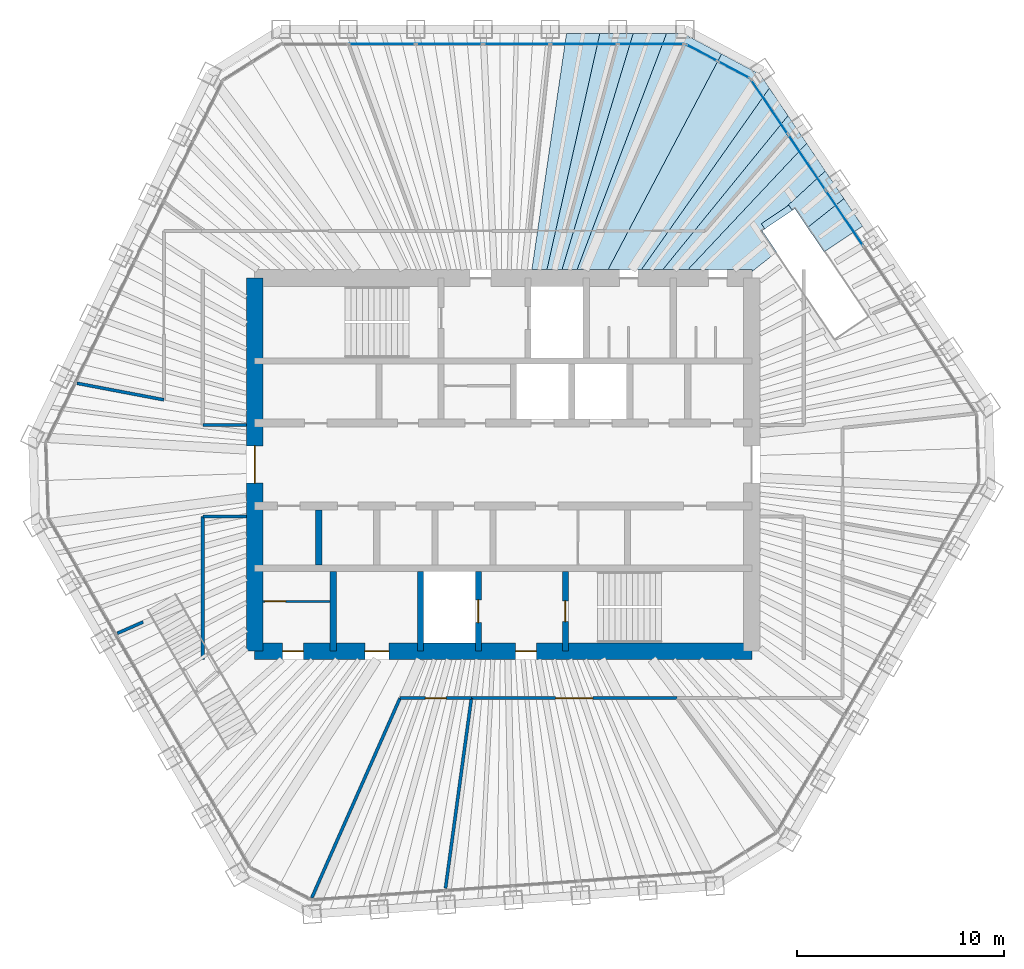
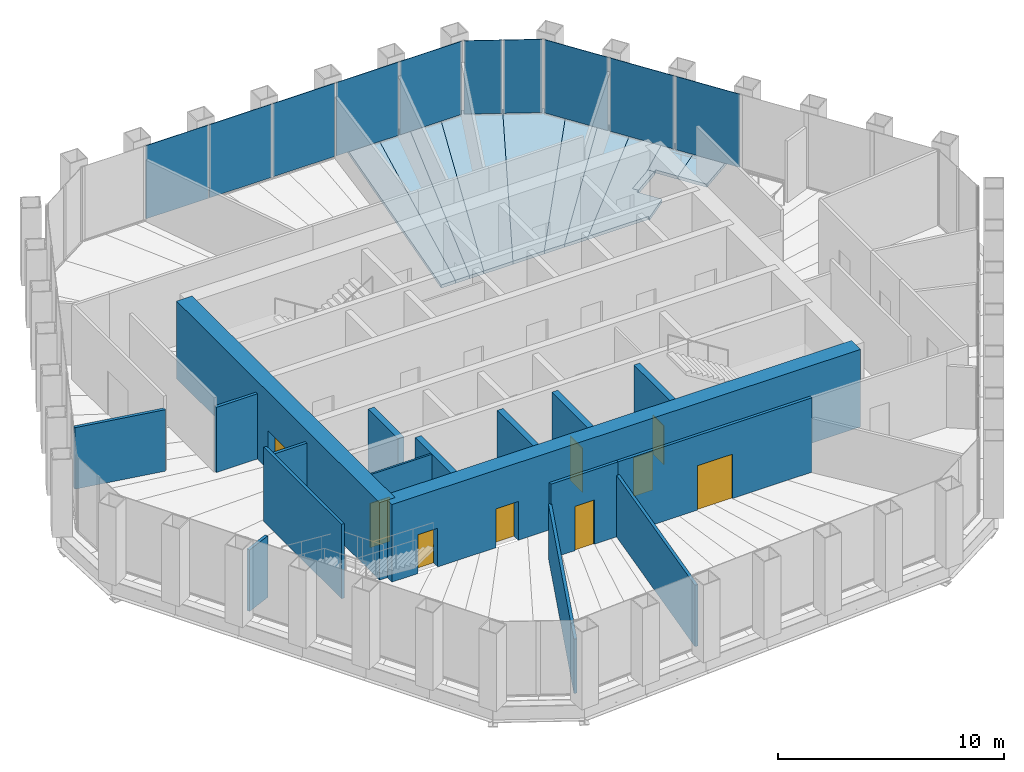
# One storey, part 13 of 17: 17 walls, 11 slabs, 10 plates, 9 doors, 9 openings, 3 elements without a shape of their own.
"""IFC4 building model written with IfcOpenShell, lengths in metres."""

from ifc_helpers import new_model, si_unit, direction, frame, frame_2d, origin, origin_2d, place, context, subcontext, project, spatial, polyline, rectangle, outline, extrude, material, layer, layer_set, type_object, element, fill, aggregate, save


model = new_model("IFC4")

# Units and contexts
model_context = context("Model", 3, precision=1e-05, world=origin(), true_north=direction((0.0, 1.0)))
body_context = subcontext(model_context, "Body", "Model", "MODEL_VIEW")
ifc_project = project(units=[si_unit("LENGTHUNIT", "METRE"), si_unit("AREAUNIT", "SQUARE_METRE"), si_unit("VOLUMEUNIT", "CUBIC_METRE"), si_unit("PLANEANGLEUNIT", "RADIAN"), si_unit("MASSUNIT", "GRAM", prefix="KILO")], contexts=[model_context])

# Site, building, storey
site_placement = place(None, origin())
site = spatial("IfcSite", under=ifc_project, at=site_placement, CompositionType="ELEMENT")
building_placement = place(site_placement, origin())
building = spatial("IfcBuilding", under=site, at=building_placement, Name="Qingtian Harvest Tower", CompositionType="ELEMENT")
storey_placement = place(building_placement, frame((0.0, 0.0, 329.199951171875)))
storey = spatial("IfcBuildingStorey", under=building, at=storey_placement, Name="L73", CompositionType="ELEMENT", Elevation=329.199951171875)

# Slabs
ifc_material_1 = material(Name="Concrete fc' 35 MPa", Category="concrete")
ifc_layer_1 = layer(ifc_material_1, 0.169921875)
ifc_layer_set_1 = layer_set([ifc_layer_1], Name="Composite floor slab FS17 170")
slab_type_1 = type_object("IfcSlabType", Name="Composite floor slab FS17 170", PredefinedType="FLOOR", material=ifc_layer_set_1)
slab_1_placement = place(storey_placement, frame((0.0, 0.0, -0.169921875)))
element("IfcSlab", 1, at=slab_1_placement, inside=storey, type_object=slab_type_1, Name="Floor slab L73 panel D47", PredefinedType="FLOOR", context=body_context, shape_type="SweptSolid", body=[
    extrude(outline(polyline([(14.682861328125, 11.43603515625), (16.44140625, 12.830078125), (17.340576171875, 11.4970703125), (15.4794921875, 10.2548828125), (14.682861328125, 11.43603515625)])), origin(), (0.0, 0.0, 1.0), 0.169921875),
])
slab_2_placement = place(storey_placement, frame((0.0, 0.0, -0.169921875)))
element("IfcSlab", 2, at=slab_2_placement, inside=storey, type_object=slab_type_1, Name="Floor slab L73 panel D48", PredefinedType="FLOOR", context=body_context, shape_type="SweptSolid", body=[
    extrude(outline(polyline([(14.06787109375, 12.347900390625), (13.944091796875, 12.26318359375), (13.77587890625, 12.5126953125), (13.6455078125, 12.4248046875), (15.541259765625, 14.164794921875), (16.44140625, 12.830078125), (14.682861328125, 11.43603515625), (14.06787109375, 12.347900390625)])), origin(), (0.0, 0.0, 1.0), 0.169921875),
])
slab_3_placement = place(storey_placement, frame((0.0, 0.0, -0.169921875)))
element("IfcSlab", 3, at=slab_3_placement, inside=storey, type_object=slab_type_1, Name="Floor slab L73 panel D49", PredefinedType="FLOOR", context=body_context, shape_type="SweptSolid", body=[
    extrude(outline(polyline([(8.907958984375, 9.39990234375), (14.641357421875, 15.498779296875), (14.641357421875, 15.498779296875), (15.541259765625, 14.164794921875), (13.6455078125, 12.4248046875), (12.449462890625, 11.617919921875), (12.61767578125, 11.368408203125), (12.49267578125, 11.285400390625), (13.189697265625, 10.252197265625), (12.0, 9.30908203125), (12.0, 9.39990234375), (8.907958984375, 9.39990234375)])), origin(), (0.0, 0.0, 1.0), 0.169921875),
])
slab_4_placement = place(storey_placement, frame((0.0, 0.0, -0.169921875)))
element("IfcSlab", 4, at=slab_4_placement, inside=storey, type_object=slab_type_1, Name="Floor slab L73 panel D50", PredefinedType="FLOOR", context=body_context, shape_type="SweptSolid", body=[
    extrude(outline(polyline([(7.695556640625, 9.39990234375), (13.74169921875, 16.832763671875), (14.641357421875, 15.498779296875), (8.907958984375, 9.39990234375), (7.695556640625, 9.39990234375)])), origin(), (0.0, 0.0, 1.0), 0.169921875),
])
slab_5_placement = place(storey_placement, frame((0.0, 0.0, -0.169921875)))
element("IfcSlab", 5, at=slab_5_placement, inside=storey, type_object=slab_type_1, Name="Floor slab L73 panel D51", PredefinedType="FLOOR", context=body_context, shape_type="SweptSolid", body=[
    extrude(outline(polyline([(6.662109375, 9.39990234375), (12.841796875, 18.16650390625), (13.74169921875, 16.832763671875), (7.695556640625, 9.39990234375), (6.662109375, 9.39990234375)])), origin(), (0.0, 0.0, 1.0), 0.169921875),
])
slab_6_placement = place(storey_placement, frame((0.0, 0.0, -0.169921875)))
element("IfcSlab", 6, at=slab_6_placement, inside=storey, type_object=slab_type_1, Name="Floor slab L73 panel D52", PredefinedType="FLOOR", context=body_context, shape_type="SweptSolid", body=[
    extrude(outline(polyline([(5.05419921875, 9.39990234375), (10.533935546875, 19.809814453125), (12.404296875, 18.8154296875), (12.841796875, 18.16650390625), (6.662109375, 9.39990234375), (5.05419921875, 9.39990234375)])), origin(), (0.0, 0.0, 1.0), 0.169921875),
])
slab_7_placement = place(storey_placement, frame((0.0, 0.0, -0.169921875)))
element("IfcSlab", 7, at=slab_7_placement, inside=storey, type_object=slab_type_1, Name="Floor slab L73 panel D53", PredefinedType="FLOOR", context=body_context, shape_type="SweptSolid", body=[
    extrude(outline(polyline([(5.05419921875, 9.39990234375), (3.560302734375, 9.39990234375), (7.880126953125, 20.804931640625), (8.662109375, 20.804931640625), (10.533935546875, 19.809814453125), (5.05419921875, 9.39990234375)])), origin(), (0.0, 0.0, 1.0), 0.169921875),
])
slab_8_placement = place(storey_placement, frame((0.0, 0.0, -0.169921875)))
element("IfcSlab", 8, at=slab_8_placement, inside=storey, type_object=slab_type_1, Name="Floor slab L73 panel D54", PredefinedType="FLOOR", context=body_context, shape_type="SweptSolid", body=[
    extrude(outline(polyline([(2.833251953125, 9.39990234375), (6.27099609375, 20.804931640625), (7.880126953125, 20.804931640625), (3.560302734375, 9.39990234375), (2.833251953125, 9.39990234375)])), origin(), (0.0, 0.0, 1.0), 0.169921875),
])
slab_9_placement = place(storey_placement, frame((0.0, 0.0, -0.169921875)))
element("IfcSlab", 9, at=slab_9_placement, inside=storey, type_object=slab_type_1, Name="Floor slab L73 panel D55", PredefinedType="FLOOR", context=body_context, shape_type="SweptSolid", body=[
    extrude(outline(polyline([(2.1064453125, 9.39990234375), (4.662109375, 20.804931640625), (6.27099609375, 20.804931640625), (2.833251953125, 9.39990234375), (2.1064453125, 9.39990234375)])), origin(), (0.0, 0.0, 1.0), 0.169921875),
])
slab_10_placement = place(storey_placement, frame((0.0, 0.0, -0.169921875)))
element("IfcSlab", 10, at=slab_10_placement, inside=storey, type_object=slab_type_1, Name="Floor slab L73 panel D56", PredefinedType="FLOOR", context=body_context, shape_type="SweptSolid", body=[
    extrude(outline(polyline([(1.37939453125, 9.39990234375), (3.05322265625, 20.804931640625), (4.662109375, 20.804931640625), (2.1064453125, 9.39990234375), (1.37939453125, 9.39990234375)])), origin(), (0.0, 0.0, 1.0), 0.169921875),
])
ifc_material_2 = material(Name="Steel deck with terrazzo", Category="steel")
ifc_layer_2 = layer(ifc_material_2, 0.199951171875)
ifc_layer_set_2 = layer_set([ifc_layer_2], Name="Feature stair landing SL3 200")
slab_type_2 = type_object("IfcSlabType", Name="Feature stair landing SL3 200", PredefinedType="LANDING", material=ifc_layer_set_2)
slab_11_placement = place(storey_placement, frame((0.0, 0.0, -0.199951171875)))
element("IfcSlab", 11, at=slab_11_placement, inside=storey, type_object=slab_type_2, Name="Feature stair FS5 top landing", PredefinedType="LANDING", context=body_context, shape_type="SweptSolid", body=[
    extrude(outline(polyline([(13.944091796875, 12.26318359375), (13.77587890625, 12.5126953125), (12.449462890625, 11.617919921875), (12.61767578125, 11.368408203125), (13.944091796875, 12.26318359375)])), origin(), (0.0, 0.0, 1.0), 0.199951171875),
])

# Curtain wall, plates
ifc_material_3 = material(Name="Bronze-anodised aluminium curtain wall", Category="aluminium")
curtain_wall_type = type_object("IfcCurtainWallType", Name="Curtain wall CW6 executive floors", PredefinedType="USERDEFINED", material=ifc_material_3)
curtain_wall_1_placement = place(storey_placement, origin())
curtain_wall_1 = element("IfcCurtainWall", 12, at=curtain_wall_1_placement, inside=storey, type_object=curtain_wall_type, Name="Curtain wall CW6 L73 N0-5", ObjectType="RECESSED CURTAIN WALL", PredefinedType="USERDEFINED")
ifc_material_4 = material(Name="Bronze-tinted laminated insulating glass", Category="glass")
ifc_layer_3 = layer(ifc_material_4, 0.030029296875)
ifc_layer_set_3 = layer_set([ifc_layer_3], Name="Glazed panel CWP tinted IGU")
plate_type = type_object("IfcPlateType", Name="Glazed panel CWP tinted IGU", PredefinedType="CURTAIN_PANEL", material=ifc_layer_set_3)
plate_1_placement = place(storey_placement, frame((-5.85009765625, 20.300048828125, 0.06494140625), z_axis=(0.0, 0.0, 1.0), x_axis=(1.0, 0.0, 0.0)))
plate_1 = element("IfcPlate", 13, at=plate_1_placement, type_object=plate_type, Name="CW6 panel 2.1", PredefinedType="CURTAIN_PANEL", context=body_context, shape_type="SweptSolid", body=[
    extrude(rectangle(XDim=3.18310546875, YDim=0.030029296875, at=origin_2d()), origin(), (0.0, 0.0, 1.0), 3.965087890625),
])
plate_2_placement = place(storey_placement, frame((-2.602294921875, 20.300048828125, 0.06494140625), z_axis=(0.0, 0.0, 1.0), x_axis=(1.0, 0.0, 0.0)))
plate_2 = element("IfcPlate", 14, at=plate_2_placement, type_object=plate_type, Name="CW6 panel 3.1", PredefinedType="CURTAIN_PANEL", context=body_context, shape_type="SweptSolid", body=[
    extrude(rectangle(XDim=3.18310546875, YDim=0.030029296875, at=origin_2d()), origin(), (0.0, 0.0, 1.0), 3.965087890625),
])
plate_3_placement = place(storey_placement, frame((0.645751953125, 20.300048828125, 0.06494140625), z_axis=(0.0, 0.0, 1.0), x_axis=(1.0, 0.0, 0.0)))
plate_3 = element("IfcPlate", 15, at=plate_3_placement, type_object=plate_type, Name="CW6 panel 4.1", PredefinedType="CURTAIN_PANEL", context=body_context, shape_type="SweptSolid", body=[
    extrude(rectangle(XDim=3.18310546875, YDim=0.030029296875, at=origin_2d()), origin(), (0.0, 0.0, 1.0), 3.965087890625),
])
plate_4_placement = place(storey_placement, frame((3.893798828125, 20.300048828125, 0.06494140625), z_axis=(0.0, 0.0, 1.0), x_axis=(1.0, 0.0, 0.0)))
plate_4 = element("IfcPlate", 16, at=plate_4_placement, type_object=plate_type, Name="CW6 panel 5.1", PredefinedType="CURTAIN_PANEL", context=body_context, shape_type="SweptSolid", body=[
    extrude(rectangle(XDim=3.18310546875, YDim=0.030029296875, at=origin_2d()), origin(), (0.0, 0.0, 1.0), 3.965087890625),
])
plate_5_placement = place(storey_placement, frame((7.125732421875, 20.300048828125, 0.06494140625), z_axis=(0.0, 0.0, 1.0), x_axis=(1.0, 0.0, 0.0)))
plate_5 = element("IfcPlate", 17, at=plate_5_placement, type_object=plate_type, Name="CW6 panel 6.1", PredefinedType="CURTAIN_PANEL", context=body_context, shape_type="SweptSolid", body=[
    extrude(rectangle(XDim=3.150634765625, YDim=0.030029296875, at=origin_2d()), origin(), (0.0, 0.0, 1.0), 3.965087890625),
])
aggregate(curtain_wall_1, [plate_1, plate_2, plate_3, plate_4, plate_5])

curtain_wall_2_placement = place(storey_placement, origin())
curtain_wall_2 = element("IfcCurtainWall", 18, at=curtain_wall_2_placement, inside=storey, type_object=curtain_wall_type, Name="Curtain wall CW6 L73 NC", ObjectType="RECESSED CURTAIN WALL", PredefinedType="USERDEFINED")
plate_6_placement = place(storey_placement, frame((9.57080078125, 19.8720703125, 0.06494140625), z_axis=(0.0, 0.0, 1.0), x_axis=(0.882947592859, -0.469471562786, 0.0)))
plate_6 = element("IfcPlate", 19, at=plate_6_placement, type_object=plate_type, Name="CW6 panel 1.1", PredefinedType="CURTAIN_PANEL", context=body_context, shape_type="SweptSolid", body=[
    extrude(rectangle(XDim=1.69287109375, YDim=0.030029296875, at=origin_2d()), origin(), (0.0, 0.0, 1.0), 3.965087890625),
])
plate_7_placement = place(storey_placement, frame((11.122802734375, 19.046875, 0.06494140625), z_axis=(0.0, 0.0, 1.0), x_axis=(0.882947592859, -0.469471562786, 0.0)))
plate_7 = element("IfcPlate", 20, at=plate_7_placement, type_object=plate_type, Name="CW6 panel 2.1", PredefinedType="CURTAIN_PANEL", context=body_context, shape_type="SweptSolid", body=[
    extrude(rectangle(XDim=1.69287109375, YDim=0.030029296875, at=origin_2d()), origin(), (0.0, 0.0, 1.0), 3.965087890625),
])
aggregate(curtain_wall_2, [plate_6, plate_7])

curtain_wall_3_placement = place(storey_placement, origin())
curtain_wall_3 = element("IfcCurtainWall", 21, at=curtain_wall_3_placement, inside=storey, type_object=curtain_wall_type, Name="Curtain wall CW6 L73 NE0-5", ObjectType="RECESSED CURTAIN WALL", PredefinedType="USERDEFINED")
plate_8_placement = place(storey_placement, frame((12.844970703125, 17.259033203125, 0.06494140625), z_axis=(0.0, 0.0, 1.0), x_axis=(0.559192903471, -0.829037572555, 0.0)))
plate_8 = element("IfcPlate", 22, at=plate_8_placement, type_object=plate_type, Name="CW6 panel 1.1", PredefinedType="CURTAIN_PANEL", context=body_context, shape_type="SweptSolid", body=[
    extrude(rectangle(XDim=3.150634765625, YDim=0.030029296875, at=origin_2d()), origin(), (0.0, 0.0, 1.0), 3.965087890625),
])
plate_9_placement = place(storey_placement, frame((14.652099609375, 14.579833984375, 0.06494140625), z_axis=(0.0, 0.0, 1.0), x_axis=(0.559192903471, -0.829037572555, 0.0)))
plate_9 = element("IfcPlate", 23, at=plate_9_placement, type_object=plate_type, Name="CW6 panel 2.1", PredefinedType="CURTAIN_PANEL", context=body_context, shape_type="SweptSolid", body=[
    extrude(rectangle(XDim=3.18310546875, YDim=0.030029296875, at=origin_2d()), origin(), (0.0, 0.0, 1.0), 3.965087890625),
])
plate_10_placement = place(storey_placement, frame((16.46826171875, 11.886962890625, 0.06494140625), z_axis=(0.0, 0.0, 1.0), x_axis=(0.559192903471, -0.829037572555, 0.0)))
plate_10 = element("IfcPlate", 24, at=plate_10_placement, type_object=plate_type, Name="CW6 panel 3.1", PredefinedType="CURTAIN_PANEL", context=body_context, shape_type="SweptSolid", body=[
    extrude(rectangle(XDim=3.18310546875, YDim=0.030029296875, at=origin_2d()), origin(), (0.0, 0.0, 1.0), 3.965087890625),
])
aggregate(curtain_wall_3, [plate_8, plate_9, plate_10])

# Walls
ifc_material_5 = material(Name="Precast concrete shaft panel", Category="concrete")
ifc_layer_4 = layer(ifc_material_5, 0.300048828125)
ifc_layer_set_4 = layer_set([ifc_layer_4], Name="Core shaft partition SW1 300")
wall_type_1 = type_object("IfcWallType", Name="Core shaft partition SW1 300", PredefinedType="PARTITIONING", material=ifc_layer_set_4)
wall_1_placement = place(storey_placement, frame((-8.89990234375, -4.85009765625, 0.0), z_axis=(0.0, 0.0, 1.0), x_axis=(0.0, 1.0, 0.0)))
element("IfcWall", 25, at=wall_1_placement, inside=storey, type_object=wall_type_1, Name="Core shaft partition XB1 L73", PredefinedType="PARTITIONING", context=body_context, shape_type="SweptSolid", body=[
    extrude(rectangle(XDim=2.650146484375, YDim=0.300048828125, at=frame_2d((1.3251953125, 0.0))), origin(), (0.0, 0.0, 1.0), 3.97998046875),
])
for number, where, z_axis, x_axis, name in (
    (26, (-8.199951171875, -9.0, 0.0), (0.0, 0.0, 1.0), (0.0, 1.0, 0.0), "Core shaft partition XS1 L73"),
    (27, (-4.0, -9.0, 0.0), (0.0, 0.0, 1.0), (0.0, 1.0, 0.0), "Core shaft partition XS2 L73"),
):
    element("IfcWall", number, at=place(storey_placement, frame(where, z_axis=z_axis, x_axis=x_axis)), inside=storey, type_object=wall_type_1, Name=name, PredefinedType="PARTITIONING", context=body_context, shape_type="SweptSolid", body=[
        extrude(rectangle(XDim=3.85009765625, YDim=0.300048828125, at=frame_2d((1.925048828125, 0.0))), origin(), (0.0, 0.0, 1.0), 3.97998046875),
    ])

# Wall, opening, door
wall_2_placement = place(storey_placement, frame((-1.199951171875, -9.0, 0.0), z_axis=(0.0, 0.0, 1.0), x_axis=(0.0, 1.0, 0.0)))
wall_2 = element("IfcWall", 28, at=wall_2_placement, inside=storey, type_object=wall_type_1, Name="Core shaft partition XS3 L73", PredefinedType="PARTITIONING", context=body_context, shape_type="SweptSolid", body=[
    extrude(rectangle(XDim=3.85009765625, YDim=0.300048828125, at=frame_2d((1.925048828125, 0.0))), origin(), (0.0, 0.0, 1.0), 3.97998046875),
])
opening_1_placement = place(wall_2_placement, frame((1.375, 0.0, 0.0)))
opening_1 = element("IfcOpeningElement", 29, at=opening_1_placement, cuts=wall_2, Name="Opening LD1", PredefinedType="OPENING", context=body_context, shape_type="SweptSolid", body=[
    extrude(rectangle(XDim=1.10009765625, YDim=2.39990234375, at=frame_2d((0.550048828125, 1.199951171875))), frame((0.0, 0.159912109375, 0.0), z_axis=(0.0, -1.0, 0.0), x_axis=(1.0, 0.0, 0.0)), (0.0, 0.0, 1.0), 0.320068359375),
])
ifc_material_6 = material(Name="Stainless steel lift landing door", Category="steel")
door_type_1 = type_object("IfcDoorType", Name="Lift landing door LD1 1 HR", OperationType="DOUBLE_DOOR_SLIDING", PredefinedType="DOOR", material=ifc_material_6)
door_1_placement = place(opening_1_placement, origin())
door_1 = element("IfcDoor", 30, at=door_1_placement, inside=storey, type_object=door_type_1, Name="FL2 landing door L73", OperationType="DOUBLE_DOOR_SLIDING", OverallHeight=2.39990234375, OverallWidth=1.10009765625, PredefinedType="DOOR", context=body_context, shape_type="SweptSolid", body=[
    extrude(rectangle(XDim=1.10009765625, YDim=2.39990234375, at=frame_2d((0.550048828125, 1.199951171875))), frame((0.0, 0.02490234375, 0.0), z_axis=(0.0, -1.0, 0.0), x_axis=(1.0, 0.0, 0.0)), (0.0, 0.0, 1.0), 0.050048828125),
])
fill(opening_1, door_1)

wall_3_placement = place(storey_placement, frame((3.0, -9.0, 0.0), z_axis=(0.0, 0.0, 1.0), x_axis=(0.0, 1.0, 0.0)))
wall_3 = element("IfcWall", 31, at=wall_3_placement, inside=storey, type_object=wall_type_1, Name="Core shaft partition XS4 L73", PredefinedType="PARTITIONING", context=body_context, shape_type="SweptSolid", body=[
    extrude(rectangle(XDim=3.85009765625, YDim=0.300048828125, at=frame_2d((1.925048828125, 0.0))), origin(), (0.0, 0.0, 1.0), 3.97998046875),
])
opening_2_placement = place(wall_3_placement, frame((1.425048828125, 0.0, 0.0)))
opening_2 = element("IfcOpeningElement", 32, at=opening_2_placement, cuts=wall_3, Name="Opening FD1", PredefinedType="OPENING", context=body_context, shape_type="SweptSolid", body=[
    extrude(rectangle(XDim=1.0, YDim=2.10009765625, at=frame_2d((0.5, 1.050048828125))), frame((0.0, 0.159912109375, 0.0), z_axis=(0.0, -1.0, 0.0), x_axis=(1.0, 0.0, 0.0)), (0.0, 0.0, 1.0), 0.320068359375),
])
ifc_material_7 = material(Name="Steel-faced door leaf", Category="steel")
door_type_2 = type_object("IfcDoorType", Name="Fire door FD1 single 1 HR", OperationType="SINGLE_SWING_LEFT", PredefinedType="DOOR", material=ifc_material_7)
door_2_placement = place(opening_2_placement, origin())
door_2 = element("IfcDoor", 33, at=door_2_placement, inside=storey, type_object=door_type_2, Name="S2 door L73", OperationType="SINGLE_SWING_RIGHT", OverallHeight=2.10009765625, OverallWidth=1.0, PredefinedType="DOOR", context=body_context, shape_type="SweptSolid", body=[
    extrude(rectangle(XDim=1.0, YDim=2.10009765625, at=frame_2d((0.5, 1.050048828125))), frame((0.0, 0.02490234375, 0.0), z_axis=(0.0, -1.0, 0.0), x_axis=(1.0, 0.0, 0.0)), (0.0, 0.0, 1.0), 0.050048828125),
])
fill(opening_2, door_2)

# Wall, openings, doors
ifc_material_8 = material(Name="Concrete fc' 70 MPa", Category="concrete")
ifc_layer_5 = layer(ifc_material_8, 0.800048828125)
ifc_layer_set_5 = layer_set([ifc_layer_5], Name="Core wall RC4 800")
wall_type_2 = type_object("IfcWallType", Name="Core wall RC4 800", PredefinedType="SHEAR", material=ifc_layer_set_5)
wall_4_placement = place(storey_placement, frame((-12.0, -9.0, 0.0), z_axis=(0.0, 0.0, 1.0), x_axis=(1.0, 0.0, 0.0)))
wall_4 = element("IfcWall", 34, at=wall_4_placement, inside=storey, type_object=wall_type_2, Name="Core wall CS L73", PredefinedType="SHEAR", context=body_context, shape_type="SweptSolid", body=[
    extrude(rectangle(XDim=24.0, YDim=0.800048828125, at=frame_2d((12.0, 0.0))), origin(), (0.0, 0.0, 1.0), 4.199951171875),
])
opening_3_placement = place(wall_4_placement, frame((1.35009765625, 0.0, 0.0)))
opening_3 = element("IfcOpeningElement", 35, at=opening_3_placement, cuts=wall_4, Name="Opening FD1", PredefinedType="OPENING", context=body_context, shape_type="SweptSolid", body=[
    extrude(rectangle(XDim=1.0, YDim=2.10009765625, at=frame_2d((0.5, 1.050048828125))), frame((0.0, 0.409912109375, 0.0), z_axis=(0.0, -1.0, 0.0), x_axis=(1.0, 0.0, 0.0)), (0.0, 0.0, 1.0), 0.820068359375),
])
opening_4_placement = place(wall_4_placement, frame((5.324951171875, 0.0, 0.0)))
opening_4 = element("IfcOpeningElement", 36, at=opening_4_placement, cuts=wall_4, Name="Opening AD1", PredefinedType="OPENING", context=body_context, shape_type="SweptSolid", body=[
    extrude(rectangle(XDim=1.14990234375, YDim=2.10009765625, at=frame_2d((0.574951171875, 1.050048828125))), frame((0.0, 0.409912109375, 0.0), z_axis=(0.0, -1.0, 0.0), x_axis=(1.0, 0.0, 0.0)), (0.0, 0.0, 1.0), 0.820068359375),
])
opening_5_placement = place(wall_4_placement, frame((12.60009765625, 0.0, 0.0)))
opening_5 = element("IfcOpeningElement", 37, at=opening_5_placement, cuts=wall_4, Name="Opening FD1", PredefinedType="OPENING", context=body_context, shape_type="SweptSolid", body=[
    extrude(rectangle(XDim=1.0, YDim=2.10009765625, at=frame_2d((0.5, 1.050048828125))), frame((0.0, 0.409912109375, 0.0), z_axis=(0.0, -1.0, 0.0), x_axis=(1.0, 0.0, 0.0)), (0.0, 0.0, 1.0), 0.820068359375),
])
ifc_material_9 = material(Name="Laminated timber door leaf", Category="wood")
door_type_3 = type_object("IfcDoorType", Name="Accessible WC door AD1 single", OperationType="SINGLE_SWING_LEFT", PredefinedType="DOOR", material=ifc_material_9)
door_3_placement = place(opening_4_placement, origin())
door_3 = element("IfcDoor", 38, at=door_3_placement, inside=storey, type_object=door_type_3, Name="AWC door L73", OperationType="SINGLE_SWING_LEFT", OverallHeight=2.10009765625, OverallWidth=1.14990234375, PredefinedType="DOOR", context=body_context, shape_type="SweptSolid", body=[
    extrude(rectangle(XDim=1.14990234375, YDim=2.10009765625, at=frame_2d((0.574951171875, 1.050048828125))), frame((0.0, 0.02490234375, 0.0), z_axis=(0.0, -1.0, 0.0), x_axis=(1.0, 0.0, 0.0)), (0.0, 0.0, 1.0), 0.050048828125),
])
fill(opening_4, door_3)
door_4_placement = place(opening_3_placement, origin())
door_4 = element("IfcDoor", 39, at=door_4_placement, inside=storey, type_object=door_type_2, Name="CLN door L73", OperationType="SINGLE_SWING_RIGHT", OverallHeight=2.10009765625, OverallWidth=1.0, PredefinedType="DOOR", context=body_context, shape_type="SweptSolid", body=[
    extrude(rectangle(XDim=1.0, YDim=2.10009765625, at=frame_2d((0.5, 1.050048828125))), frame((0.0, 0.02490234375, 0.0), z_axis=(0.0, -1.0, 0.0), x_axis=(1.0, 0.0, 0.0)), (0.0, 0.0, 1.0), 0.050048828125),
])
fill(opening_3, door_4)
door_5_placement = place(opening_5_placement, origin())
door_5 = element("IfcDoor", 40, at=door_5_placement, inside=storey, type_object=door_type_2, Name="V2 door L73", OperationType="SINGLE_SWING_LEFT", OverallHeight=2.10009765625, OverallWidth=1.0, PredefinedType="DOOR", context=body_context, shape_type="SweptSolid", body=[
    extrude(rectangle(XDim=1.0, YDim=2.10009765625, at=frame_2d((0.5, 1.050048828125))), frame((0.0, 0.02490234375, 0.0), z_axis=(0.0, -1.0, 0.0), x_axis=(1.0, 0.0, 0.0)), (0.0, 0.0, 1.0), 0.050048828125),
])
fill(opening_5, door_5)

# Wall, opening, door
wall_5_placement = place(storey_placement, frame((-12.0, -9.0, 0.0), z_axis=(0.0, 0.0, 1.0), x_axis=(0.0, 1.0, 0.0)))
wall_5 = element("IfcWall", 41, at=wall_5_placement, inside=storey, type_object=wall_type_2, Name="Core wall CW L73", PredefinedType="SHEAR", context=body_context, shape_type="SweptSolid", body=[
    extrude(rectangle(XDim=18.0, YDim=0.800048828125, at=frame_2d((9.0, 0.0))), origin(), (0.0, 0.0, 1.0), 4.199951171875),
])
opening_6_placement = place(wall_5_placement, frame((8.10009765625, 0.0, 0.0)))
opening_6 = element("IfcOpeningElement", 42, at=opening_6_placement, cuts=wall_5, Name="Opening FD2", PredefinedType="OPENING", context=body_context, shape_type="SweptSolid", body=[
    extrude(rectangle(XDim=1.800048828125, YDim=2.10009765625, at=frame_2d((0.89990234375, 1.050048828125))), frame((0.0, 0.409912109375, 0.0), z_axis=(0.0, -1.0, 0.0), x_axis=(1.0, 0.0, 0.0)), (0.0, 0.0, 1.0), 0.820068359375),
])
ifc_material_10 = material(Name="Steel-faced door leaf", Category="steel")
door_type_4 = type_object("IfcDoorType", Name="Fire door FD2 double 1 HR", OperationType="DOUBLE_DOOR_DOUBLE_SWING", PredefinedType="DOOR", material=ifc_material_10)
door_6_placement = place(opening_6_placement, origin())
door_6 = element("IfcDoor", 43, at=door_6_placement, inside=storey, type_object=door_type_4, Name="LOBBY-W door L73", OperationType="DOUBLE_DOOR_DOUBLE_SWING", OverallHeight=2.10009765625, OverallWidth=1.800048828125, PredefinedType="DOOR", context=body_context, shape_type="SweptSolid", body=[
    extrude(rectangle(XDim=1.800048828125, YDim=2.10009765625, at=frame_2d((0.89990234375, 1.050048828125))), frame((0.0, 0.02490234375, 0.0), z_axis=(0.0, -1.0, 0.0), x_axis=(1.0, 0.0, 0.0)), (0.0, 0.0, 1.0), 0.050048828125),
])
fill(opening_6, door_6)

ifc_material_11 = material(Name="Gypsum board on steel studs", Category="steel")
ifc_layer_6 = layer(ifc_material_11, 0.14990234375)
ifc_layer_set_6 = layer_set([ifc_layer_6], Name="Partition PT1 150")
wall_type_3 = type_object("IfcWallType", Name="Partition PT1 150", PredefinedType="PARTITIONING", material=ifc_layer_set_6)
wall_6_placement = place(storey_placement, frame((8.38720703125, -11.27490234375, 0.0), z_axis=(0.0, 0.0, 1.0), x_axis=(-1.0, 0.0, 0.0)))
wall_6 = element("IfcWall", 44, at=wall_6_placement, inside=storey, type_object=wall_type_3, Name="Boardroom wall L73", PredefinedType="PARTITIONING", context=body_context, shape_type="SweptSolid", body=[
    extrude(rectangle(XDim=9.923828125, YDim=0.14990234375, at=frame_2d((4.9619140625, 0.0))), origin(), (0.0, 0.0, 1.0), 4.030029296875),
])
opening_7_placement = place(wall_6_placement, frame((4.061767578125, 0.0, 0.0)))
opening_7 = element("IfcOpeningElement", 45, at=opening_7_placement, cuts=wall_6, Name="Opening D3", PredefinedType="OPENING", context=body_context, shape_type="SweptSolid", body=[
    extrude(rectangle(XDim=1.800048828125, YDim=2.39990234375, at=frame_2d((0.89990234375, 1.199951171875))), frame((0.0, 0.0849609375, 0.0), z_axis=(0.0, -1.0, 0.0), x_axis=(1.0, 0.0, 0.0)), (0.0, 0.0, 1.0), 0.169921875),
])
ifc_material_12 = material(Name="Laminated timber door leaf", Category="wood")
door_type_5 = type_object("IfcDoorType", Name="Room door D3 double", OperationType="DOUBLE_DOOR_DOUBLE_SWING", PredefinedType="DOOR", material=ifc_material_12)
door_7_placement = place(opening_7_placement, origin())
door_7 = element("IfcDoor", 46, at=door_7_placement, inside=storey, type_object=door_type_5, Name="Boardroom door L73", OperationType="DOUBLE_DOOR_DOUBLE_SWING", OverallHeight=2.39990234375, OverallWidth=1.800048828125, PredefinedType="DOOR", context=body_context, shape_type="SweptSolid", body=[
    extrude(rectangle(XDim=1.800048828125, YDim=2.39990234375, at=frame_2d((0.89990234375, 1.199951171875))), frame((0.0, 0.02490234375, 0.0), z_axis=(0.0, -1.0, 0.0), x_axis=(1.0, 0.0, 0.0)), (0.0, 0.0, 1.0), 0.050048828125),
])
fill(opening_7, door_7)

# Wall
wall_7_placement = place(storey_placement, frame((-2.786376953125, -20.4462890625, 0.0), z_axis=(0.0, 0.0, 1.0), x_axis=(0.13501904213, 0.990843003842, 0.0)))
element("IfcWall", 47, at=wall_7_placement, inside=storey, type_object=wall_type_3, Name="Executive office wall L73", PredefinedType="PARTITIONING", context=body_context, shape_type="SweptSolid", body=[
    extrude(rectangle(XDim=9.256103515625, YDim=0.14990234375, at=frame_2d((4.6279296875, 0.0))), origin(), (0.0, 0.0, 1.0), 3.330078125),
])

# Wall, opening, door
wall_8_placement = place(storey_placement, frame((-1.53662109375, -11.27490234375, 0.0), z_axis=(0.0, 0.0, 1.0), x_axis=(-1.0, 0.0, 0.0)))
wall_8 = element("IfcWall", 48, at=wall_8_placement, inside=storey, type_object=wall_type_3, Name="Executive office wall L73", PredefinedType="PARTITIONING", context=body_context, shape_type="SweptSolid", body=[
    extrude(rectangle(XDim=3.4462890625, YDim=0.14990234375, at=frame_2d((1.72314453125, 0.0))), origin(), (0.0, 0.0, 1.0), 4.030029296875),
])
opening_8_placement = place(wall_8_placement, frame((1.22314453125, 0.0, 0.0)))
opening_8 = element("IfcOpeningElement", 49, at=opening_8_placement, cuts=wall_8, Name="Opening D2", PredefinedType="OPENING", context=body_context, shape_type="SweptSolid", body=[
    extrude(rectangle(XDim=1.0, YDim=2.39990234375, at=frame_2d((0.5, 1.199951171875))), frame((0.0, 0.0849609375, 0.0), z_axis=(0.0, -1.0, 0.0), x_axis=(1.0, 0.0, 0.0)), (0.0, 0.0, 1.0), 0.169921875),
])
ifc_material_13 = material(Name="Laminated timber door leaf", Category="wood")
door_type_6 = type_object("IfcDoorType", Name="Room door D2 single", OperationType="SINGLE_SWING_LEFT", PredefinedType="DOOR", material=ifc_material_13)
door_8_placement = place(opening_8_placement, origin())
door_8 = element("IfcDoor", 50, at=door_8_placement, inside=storey, type_object=door_type_6, Name="Executive office door L73", OperationType="SINGLE_SWING_RIGHT", OverallHeight=2.39990234375, OverallWidth=1.0, PredefinedType="DOOR", context=body_context, shape_type="SweptSolid", body=[
    extrude(rectangle(XDim=1.0, YDim=2.39990234375, at=frame_2d((0.5, 1.199951171875))), frame((0.0, 0.02490234375, 0.0), z_axis=(0.0, -1.0, 0.0), x_axis=(1.0, 0.0, 0.0)), (0.0, 0.0, 1.0), 0.050048828125),
])
fill(opening_8, door_8)

# Walls
wall_9_placement = place(storey_placement, frame((-9.23974609375, -20.906982421875, 0.0), z_axis=(0.0, 0.0, 1.0), x_axis=(0.404227449851, 0.91465849845, 0.0)))
element("IfcWall", 51, at=wall_9_placement, inside=storey, type_object=wall_type_3, Name="Breakout lounge wall L73", PredefinedType="PARTITIONING", context=body_context, shape_type="SweptSolid", body=[
    extrude(rectangle(XDim=10.53076171875, YDim=0.14990234375, at=frame_2d((5.265380859375, 0.0))), origin(), (0.0, 0.0, 1.0), 2.929931640625),
])
wall_10_placement = place(storey_placement, frame((-18.62353515625, -8.144287109375, 0.0), z_axis=(0.0, 0.0, 1.0), x_axis=(0.91615320959, 0.400828263172, 0.0)))
element("IfcWall", 52, at=wall_10_placement, inside=storey, type_object=wall_type_3, Name="Breakout lounge wall L73", PredefinedType="PARTITIONING", context=body_context, shape_type="SweptSolid", body=[
    extrude(rectangle(XDim=1.358154296875, YDim=0.14990234375, at=frame_2d((0.67919921875, 0.0))), origin(), (0.0, 0.0, 1.0), 3.330078125),
])
wall_11_placement = place(storey_placement, frame((-20.566162109375, 3.9208984375, 0.0), z_axis=(0.0, 0.0, 1.0), x_axis=(0.982305997167, -0.187283015595, 0.0)))
element("IfcWall", 53, at=wall_11_placement, inside=storey, type_object=wall_type_3, Name="Seminar room wall L73", PredefinedType="PARTITIONING", context=body_context, shape_type="SweptSolid", body=[
    extrude(rectangle(XDim=4.2666015625, YDim=0.14990234375, at=frame_2d((2.13330078125, 0.0))), origin(), (0.0, 0.0, 1.0), 3.330078125),
])
wall_12_placement = place(storey_placement, frame((-12.39990234375, 1.89990234375, 0.0), z_axis=(0.0, 0.0, 1.0), x_axis=(-1.0, 0.0, 0.0)))
element("IfcWall", 54, at=wall_12_placement, inside=storey, type_object=wall_type_3, Name="Breakout space wall L73", PredefinedType="PARTITIONING", context=body_context, shape_type="SweptSolid", body=[
    extrude(rectangle(XDim=2.10009765625, YDim=0.14990234375, at=frame_2d((1.050048828125, 0.0))), origin(), (0.0, 0.0, 1.0), 3.530029296875),
])
wall_13_placement = place(storey_placement, frame((-14.5, -9.39990234375, 0.0), z_axis=(0.0, 0.0, 1.0), x_axis=(0.0, 1.0, 0.0)))
element("IfcWall", 55, at=wall_13_placement, inside=storey, type_object=wall_type_3, Name="Reading area wall L73", PredefinedType="PARTITIONING", context=body_context, shape_type="SweptSolid", body=[
    extrude(rectangle(XDim=6.89990234375, YDim=0.14990234375, at=frame_2d((3.449951171875, 0.0))), origin(), (0.0, 0.0, 1.0), 4.030029296875),
])
wall_14_placement = place(storey_placement, frame((-12.39990234375, -2.5, 0.0), z_axis=(0.0, 0.0, 1.0), x_axis=(-1.0, 0.0, 0.0)))
element("IfcWall", 56, at=wall_14_placement, inside=storey, type_object=wall_type_3, Name="Reading area wall L73", PredefinedType="PARTITIONING", context=body_context, shape_type="SweptSolid", body=[
    extrude(rectangle(XDim=2.10009765625, YDim=0.14990234375, at=frame_2d((1.050048828125, 0.0))), origin(), (0.0, 0.0, 1.0), 3.530029296875),
])

# Wall, opening, door
ifc_material_14 = material(Name="Concrete block partition", Category="concrete")
ifc_layer_7 = layer(ifc_material_14, 0.10009765625)
ifc_layer_set_7 = layer_set([ifc_layer_7], Name="Store partition PT3 100")
wall_type_4 = type_object("IfcWallType", Name="Store partition PT3 100", PredefinedType="PARTITIONING", material=ifc_layer_set_7)
wall_15_placement = place(storey_placement, frame((-11.60009765625, -6.60009765625, 0.0), z_axis=(0.0, 0.0, 1.0), x_axis=(1.0, 0.0, 0.0)))
wall_15 = element("IfcWall", 57, at=wall_15_placement, inside=storey, type_object=wall_type_4, Name="Waste store wall L73", PredefinedType="PARTITIONING", context=body_context, shape_type="SweptSolid", body=[
    extrude(rectangle(XDim=3.25, YDim=0.10009765625, at=frame_2d((1.625, 0.0))), origin(), (0.0, 0.0, 1.0), 3.97998046875),
])
opening_9_placement = place(wall_15_placement, frame((0.10009765625, 0.0, 0.0)))
opening_9 = element("IfcOpeningElement", 58, at=opening_9_placement, cuts=wall_15, Name="Opening D2", PredefinedType="OPENING", context=body_context, shape_type="SweptSolid", body=[
    extrude(rectangle(XDim=1.0, YDim=2.39990234375, at=frame_2d((0.5, 1.199951171875))), frame((0.0, 0.06005859375, 0.0), z_axis=(0.0, -1.0, 0.0), x_axis=(1.0, 0.0, 0.0)), (0.0, 0.0, 1.0), 0.1201171875),
])
door_9_placement = place(opening_9_placement, origin())
door_9 = element("IfcDoor", 59, at=door_9_placement, inside=storey, type_object=door_type_6, Name="Waste store door L73", OperationType="SINGLE_SWING_LEFT", OverallHeight=2.39990234375, OverallWidth=1.0, PredefinedType="DOOR", context=body_context, shape_type="SweptSolid", body=[
    extrude(rectangle(XDim=1.0, YDim=2.39990234375, at=frame_2d((0.5, 1.199951171875))), frame((0.0, 0.02490234375, 0.0), z_axis=(0.0, -1.0, 0.0), x_axis=(1.0, 0.0, 0.0)), (0.0, 0.0, 1.0), 0.050048828125),
])
fill(opening_9, door_9)

save(model, "model.ifc")
